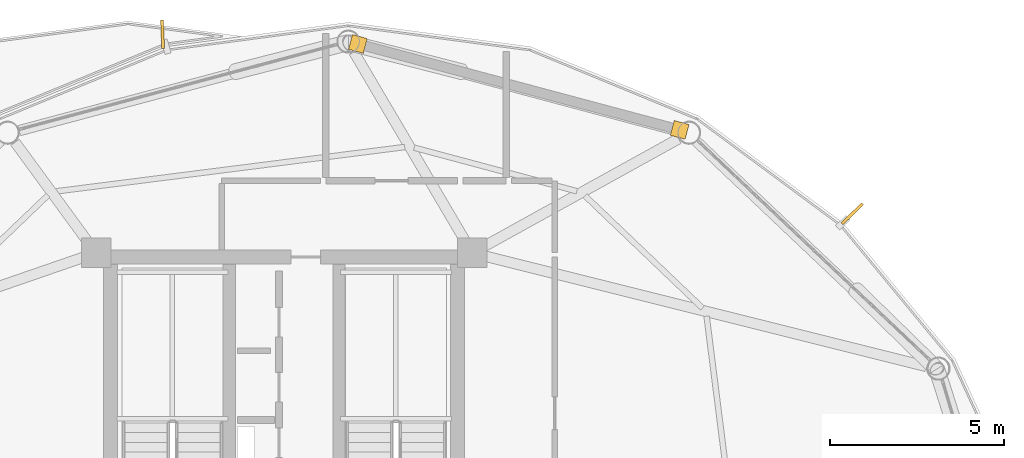
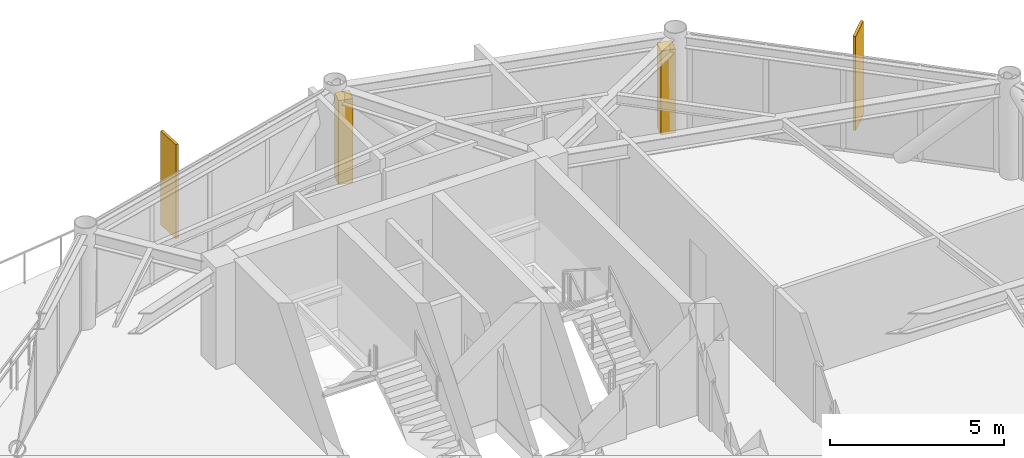
# One storey, part 25 of 25: 2 coverings, 2 shading devices.
"""IFC4 building model written with IfcOpenShell, lengths in metres."""

from ifc_helpers import new_model, si_unit, direction, frame, origin, origin_2d, place, context, subcontext, project, spatial, rectangle, extrude, source, transform, mapped, material, layer, layer_set, type_object, type_shapes, element, save


model = new_model("IFC4")

# Units and contexts
model_context = context("Model", 3, precision=1e-05, world=origin(), true_north=direction((0.0, 1.0)))
body_context = subcontext(model_context, "Body", "Model", "MODEL_VIEW")
ifc_project = project(units=[si_unit("LENGTHUNIT", "METRE"), si_unit("AREAUNIT", "SQUARE_METRE"), si_unit("VOLUMEUNIT", "CUBIC_METRE"), si_unit("PLANEANGLEUNIT", "RADIAN"), si_unit("MASSUNIT", "GRAM", prefix="KILO")], contexts=[model_context])

# Site, building, storey
site_placement = place(None, origin())
site = spatial("IfcSite", under=ifc_project, at=site_placement, CompositionType="ELEMENT")
building_placement = place(site_placement, origin())
building = spatial("IfcBuilding", under=site, at=building_placement, Name="Varnakorn Sky Granary", CompositionType="ELEMENT")
storey_placement = place(building_placement, frame((0.0, 0.0, 178.800048828125)))
storey = spatial("IfcBuildingStorey", under=building, at=storey_placement, Name="L44", CompositionType="ELEMENT", Elevation=178.800048828125)

# Shading devices
ifc_material = material(Name="Anodised Bronze Aluminium Alloy 6063-T6", Category="aluminium")
shading_device_type = type_object("IfcShadingDeviceType", Name="SH-FIN-02", PredefinedType="USERDEFINED", material=ifc_material)
shared_shape_1 = source(origin(), body_context, "Body", "SweptSolid", [
    extrude(rectangle(XDim=0.0849609375, YDim=0.820068359375, at=origin_2d()), origin(), (0.0, 0.0, 1.0), 3.300048828125),
])
type_shapes(shading_device_type, [shared_shape_1])
for number, where, z_axis, x_axis, name in (
    (1, (19.37060546875, 13.747802734375, -0.0400390625), (0.0, 0.0, 1.0), (-0.698518485802, 0.715592010151, 0.0), "Bronze Solar-Tracking Vertical Blade FIN L44-02"),
    (2, (-0.5029296875, 18.921630859375, -0.0400390625), (0.0, 0.0, 1.0), (-0.999284388093, -0.037824750003, 0.0), "Bronze Solar-Tracking Vertical Blade FIN L44-04"),
):
    element("IfcShadingDevice", number, at=place(storey_placement, frame(where, z_axis=z_axis, x_axis=x_axis)), inside=storey, type_object=shading_device_type, Name=name, ObjectType="FIN", PredefinedType="USERDEFINED", context=body_context, shape_type="MappedRepresentation", body=[
        mapped(shared_shape_1, transform((0.0, 0.0, 0.0), x_axis=(1.0, 0.0, 0.0), y_axis=(0.0, 1.0, 0.0), z_axis=(0.0, 0.0, 1.0), scale=1.0)),
    ])

# Coverings
ifc_layer = layer(ifc_material, 0.050048828125, Name="Anodised Bronze Aluminium Alloy 6063-T6")
ifc_layer_set = layer_set([ifc_layer], Name="Anodised Bronze Aluminium Alloy 6063-T6")
covering_type = type_object("IfcCoveringType", Name="CV-CLAD-50", PredefinedType="CLADDING", material=ifc_layer_set)
shared_shape_2 = source(origin(), body_context, "Body", "SweptSolid", [
    extrude(rectangle(XDim=0.43994140625, YDim=0.43994140625, at=origin_2d()), origin(), (0.0, 0.0, 1.0), 2.949951171875),
])
type_shapes(covering_type, [shared_shape_2])
for number, where, z_axis, x_axis, name in (
    (3, (5.125244140625, 18.642333984375, -0.02001953125), (0.0, 0.0, 1.0), (0.966106280664, -0.258144638645, 0.0), "Bronze Corner Pilaster Closure L44-P03-A"),
    (4, (14.398193359375, 16.165283203125, -0.02001953125), (0.0, 0.0, 1.0), (0.966106280664, -0.258144638645, 0.0), "Bronze Corner Pilaster Closure L44-P03-B"),
):
    element("IfcCovering", number, at=place(storey_placement, frame(where, z_axis=z_axis, x_axis=x_axis)), inside=storey, type_object=covering_type, Name=name, PredefinedType="CLADDING", context=body_context, shape_type="MappedRepresentation", body=[
        mapped(shared_shape_2, transform((0.0, 0.0, 0.0), x_axis=(1.0, 0.0, 0.0), y_axis=(0.0, 1.0, 0.0), z_axis=(0.0, 0.0, 1.0), scale=1.0)),
    ])

save(model, "model.ifc")
